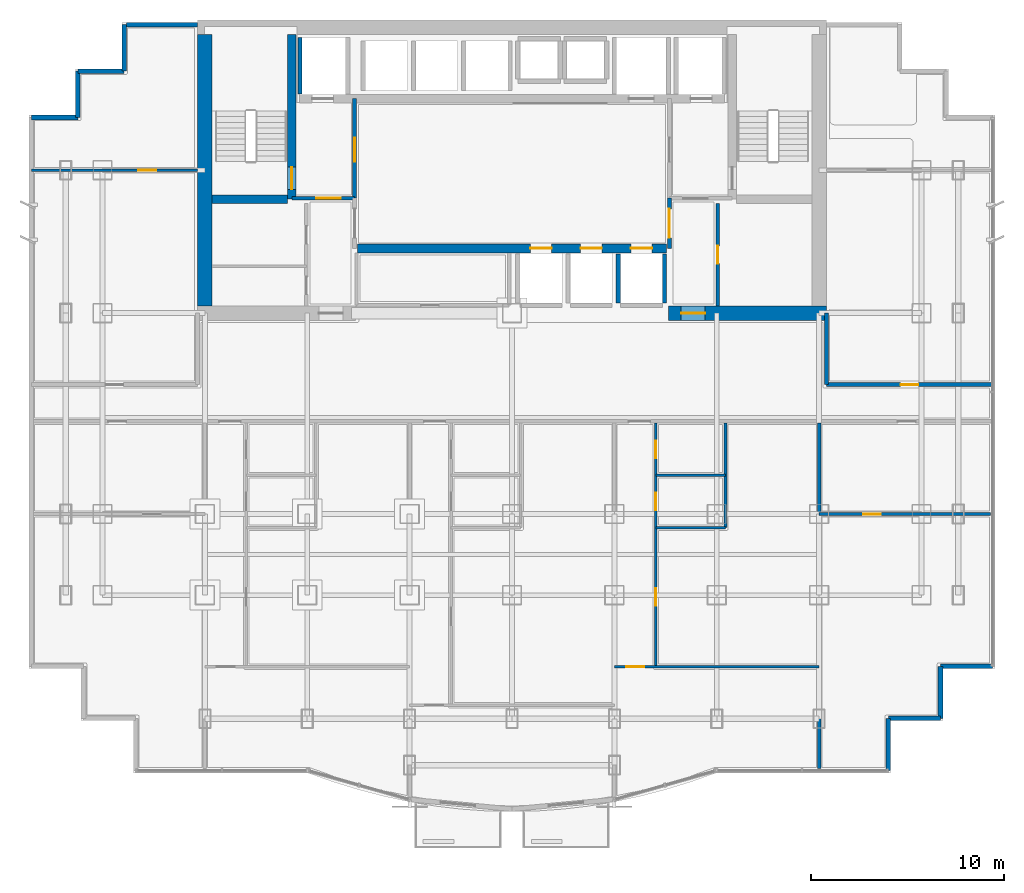
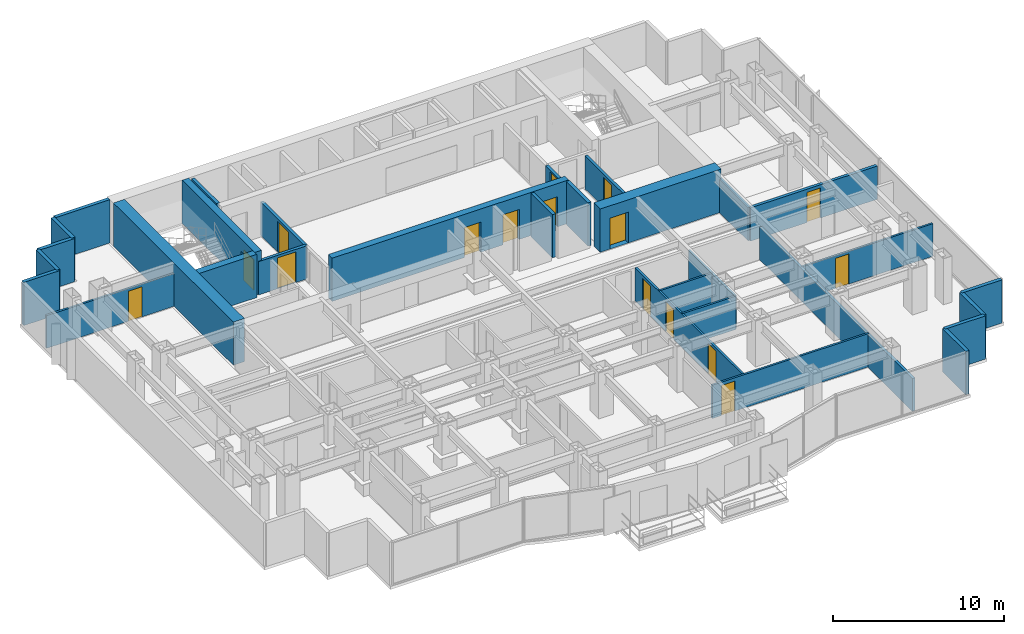
# One storey, part 8 of 11: 31 walls, 16 doors, 16 openings.
"""IFC4 building model written with IfcOpenShell, lengths in metres."""

import ifcopenshell
import ifcopenshell.guid

model = None  # the IFC model being written
_history = None  # IfcOwnerHistory: only IFC2X3 demands one
_inside = {}  # id of a spatial element -> (the spatial element, [elements in it])
_under = {}  # id of a project, library or spatial element -> (it, [spatial elements below it])
_declared = {}  # id of a project -> (the project, [libraries it declares])
_typed = {}  # id of a type object -> (the type object, [elements of that type])
_made_of = {}  # id of a material, layer set ... -> (it, [elements and type objects made of it])


def new_model(schema):
    """Start an empty IFC model of exactly this schema.

    Asked for "IFC4X3", IfcOpenShell would pick the latest addendum, in which some entities
    have other attributes; the version numbers below select the first issue.
    IFC2X3 requires an IfcOwnerHistory on every rooted entity: one is made here for all.
    """
    global model, _history
    if schema == "IFC4X3":
        model = ifcopenshell.file(schema_version=(4, 3, 0, 0))
    else:
        model = ifcopenshell.file(schema=schema)
    _inside.clear()
    _under.clear()
    _declared.clear()
    _typed.clear()
    _made_of.clear()
    _history = None
    if model.schema == "IFC2X3":
        org = make("IfcOrganization", Name="unknown")
        user = make(
            "IfcPersonAndOrganization",
            ThePerson=make("IfcPerson", FamilyName="unknown"),
            TheOrganization=org,
        )
        app = make(
            "IfcApplication",
            ApplicationDeveloper=org,
            Version="unknown",
            ApplicationFullName="unknown",
            ApplicationIdentifier="unknown",
        )
        _history = make(
            "IfcOwnerHistory",
            OwningUser=user,
            OwningApplication=app,
            ChangeAction="ADDED",
            CreationDate=0,
        )
    return model


def make(cls, **values):
    """One entity of the class cls with the attributes given. An attribute that is None is left unset."""
    return model.create_entity(
        cls, **{name: value for name, value in values.items() if value is not None}
    )


def rooted(cls, **values):
    """An entity with a GlobalId (a new one), such as an element, a storey or a relation."""
    return make(cls, GlobalId=ifcopenshell.guid.new(), OwnerHistory=_history, **values)


def si_unit(unit_type, name, prefix=None):
    """IfcSIUnit, for example si_unit("LENGTHUNIT", "METRE", prefix="MILLI")."""
    return make("IfcSIUnit", UnitType=unit_type, Prefix=prefix, Name=name)


def assignment(units):
    """IfcUnitAssignment: the units of a project."""
    return None if units is None else make("IfcUnitAssignment", Units=units)


def point(xyz):
    """IfcCartesianPoint."""
    return None if xyz is None else make("IfcCartesianPoint", Coordinates=xyz)


def direction(xyz):
    """IfcDirection."""
    return None if xyz is None else make("IfcDirection", DirectionRatios=xyz)


def frame(location, z_axis=None, x_axis=None):
    """IfcAxis2Placement3D, a coordinate frame: its origin and axes. An axis left out is left unset."""
    return make(
        "IfcAxis2Placement3D",
        Location=point(location),
        Axis=direction(z_axis),
        RefDirection=direction(x_axis),
    )


def frame_2d(location, x_axis=None):
    """IfcAxis2Placement2D, a coordinate frame in the plane: its origin and x axis."""
    return make(
        "IfcAxis2Placement2D", Location=point(location), RefDirection=direction(x_axis)
    )


def origin():
    """The frame at (0, 0, 0) with its axes left unset."""
    return frame((0.0, 0.0, 0.0))


def place(relative_to, where):
    """IfcLocalPlacement: puts the frame where relative to a parent placement (None: the world)."""
    return make(
        "IfcLocalPlacement", PlacementRelTo=relative_to, RelativePlacement=where
    )


def context(
    kind, dimensions, precision=None, world=None, true_north=None, identifier=None
):
    """IfcGeometricRepresentationContext, for example the 3D "Model" context."""
    return make(
        "IfcGeometricRepresentationContext",
        ContextIdentifier=identifier,
        ContextType=kind,
        CoordinateSpaceDimension=dimensions,
        Precision=precision,
        WorldCoordinateSystem=world,
        TrueNorth=true_north,
    )


def subcontext(parent, identifier, kind, view, scale=None):
    """IfcGeometricRepresentationSubContext, for example "Body" below "Model"."""
    return make(
        "IfcGeometricRepresentationSubContext",
        ContextIdentifier=identifier,
        ContextType=kind,
        ParentContext=parent,
        TargetScale=scale,
        TargetView=view,
    )


def project(units=None, contexts=None):
    """IfcProject with its units and contexts."""
    return rooted(
        "IfcProject",
        Name="project",
        RepresentationContexts=contexts,
        UnitsInContext=assignment(units),
    )


def spatial(cls, under=None, at=None, **own):
    """A site, building, storey or space (cls), placed at a placement, below another one or the project."""
    s = rooted(cls, ObjectPlacement=at, **own)
    if under is not None:
        _under.setdefault(under.id(), (under, []))[1].append(s)
    return s


def profile(cls, at=None, kind="AREA", **sizes):
    """A parametric profile (cls). Its sizes go by their IFC names, for example OverallWidth=200.0."""
    return make(cls, ProfileType=kind, Position=at, **sizes)


def rectangle(**sizes):
    """IfcRectangleProfileDef."""
    return profile("IfcRectangleProfileDef", **sizes)


def extrude(swept, where, along, depth):
    """IfcExtrudedAreaSolid: the profile swept, set in the frame where, extruded along a direction by depth."""
    return make(
        "IfcExtrudedAreaSolid",
        SweptArea=swept,
        Position=where,
        ExtrudedDirection=direction(along),
        Depth=depth,
    )


def shape(context_of_items, identifier, shape_type, items):
    """IfcShapeRepresentation: the items that make up one representation, for example the "Body"."""
    return make(
        "IfcShapeRepresentation",
        ContextOfItems=context_of_items,
        RepresentationIdentifier=identifier,
        RepresentationType=shape_type,
        Items=items,
    )


def material(Name=None, Category=None):
    """IfcMaterial."""
    return make("IfcMaterial", Name=Name, Category=Category)


def layer(
    of_material, thickness, ventilated=None, Name=None, Category=None, Priority=None
):
    """IfcMaterialLayer: one layer of a wall or slab, of a material (None: an air gap)."""
    return make(
        "IfcMaterialLayer",
        Material=of_material,
        LayerThickness=thickness,
        IsVentilated=ventilated,
        Name=Name,
        Category=Category,
        Priority=Priority,
    )


def layer_set(layers, Name=None):
    """IfcMaterialLayerSet."""
    return make("IfcMaterialLayerSet", MaterialLayers=layers, LayerSetName=Name)


def made_of(thing, what):
    """Note that an element or type object is made of a material, layer set ...; save() writes the relation."""
    if what is not None:
        _made_of.setdefault(what.id(), (what, []))[1].append(thing)
    return thing


def type_object(cls, material=None, **own):
    """A type object (cls), such as IfcWallType, which elements share."""
    return made_of(rooted(cls, **own), material)


def element(
    cls,
    number,
    at=None,
    inside=None,
    cuts=None,
    type_object=None,
    material=None,
    context=None,
    identifier="Body",
    shape_type=None,
    held_by="IfcProductDefinitionShape",
    body=None,
    shapes=None,
    **own,
):
    """One element of the class cls, such as IfcWall. Its Tag is "e" and its number.

    at: its placement. inside: the storey or other place that contains it. cuts: it is an
    opening in that element (IfcRelVoidsElement). A single representation is given by context,
    identifier, shape_type and body (its items); several are given by shapes. held_by: the class
    of the entity that holds the representations. save() writes the other relations.
    """
    e = rooted(cls, Tag="e%d" % number, ObjectPlacement=at, **own)
    if body is not None:
        shapes = [shape(context, identifier, shape_type, body)]
    if shapes is not None:
        e.Representation = make(held_by, Representations=shapes)
    if inside is not None:
        _inside.setdefault(inside.id(), (inside, []))[1].append(e)
    if cuts is not None:
        rooted(
            "IfcRelVoidsElement", RelatingBuildingElement=cuts, RelatedOpeningElement=e
        )
    if type_object is not None:
        _typed.setdefault(type_object.id(), (type_object, []))[1].append(e)
    return made_of(e, material)


def fill(opening, filler):
    """IfcRelFillsElement: the door or window that sits in an opening."""
    return rooted(
        "IfcRelFillsElement",
        RelatingOpeningElement=opening,
        RelatedBuildingElement=filler,
    )


def aggregate(whole, parts):
    """IfcRelAggregates: a whole, such as a stair, and the parts it consists of."""
    return rooted("IfcRelAggregates", RelatingObject=whole, RelatedObjects=parts)


def save(model, path):
    """Write the relations noted so far, then the file.

    IfcRelAggregates (storeys below a building ...), IfcRelContainedInSpatialStructure (elements
    in a storey), IfcRelDefinesByType, IfcRelAssociatesMaterial and IfcRelDeclares: one each for
    every whole, place, type object, material and project.
    """
    for whole, parts in _under.values():
        aggregate(whole, parts)
    for where, things in _inside.values():
        rooted(
            "IfcRelContainedInSpatialStructure",
            RelatedElements=things,
            RelatingStructure=where,
        )
    for kind, things in _typed.values():
        rooted("IfcRelDefinesByType", RelatedObjects=things, RelatingType=kind)
    for what, things in _made_of.values():
        rooted("IfcRelAssociatesMaterial", RelatedObjects=things, RelatingMaterial=what)
    for by, libraries in _declared.values():
        rooted("IfcRelDeclares", RelatingContext=by, RelatedDefinitions=libraries)
    model.write(path)


model = new_model("IFC4")

# Units and contexts
model_context = context("Model", 3, precision=1e-05, world=origin(), true_north=direction((0.0, 1.0)))
body_context = subcontext(model_context, "Body", "Model", "MODEL_VIEW")
ifc_project = project(units=[si_unit("LENGTHUNIT", "METRE"), si_unit("AREAUNIT", "SQUARE_METRE"), si_unit("VOLUMEUNIT", "CUBIC_METRE"), si_unit("PLANEANGLEUNIT", "RADIAN"), si_unit("MASSUNIT", "GRAM", prefix="KILO")], contexts=[model_context])

# Site, building, storey
site_placement = place(None, origin())
site = spatial("IfcSite", under=ifc_project, at=site_placement, CompositionType="ELEMENT")
building_placement = place(site_placement, origin())
building = spatial("IfcBuilding", under=site, at=building_placement, Name="Qianlan Lanfeng Residences", CompositionType="ELEMENT")
storey_placement = place(building_placement, frame((0.0, 0.0, 104.800048828125)))
storey = spatial("IfcBuildingStorey", under=building, at=storey_placement, Name="L28", CompositionType="ELEMENT", Elevation=104.800048828125)

# Wall, opening, door
ifc_material_1 = material(Name="Concrete C60", Category="concrete")
ifc_layer_1 = layer(ifc_material_1, 0.449951171875)
ifc_layer_set_1 = layer_set([ifc_layer_1], Name="Concrete C60")
wall_type_1 = type_object("IfcWallType", Name="CW-RC-450", PredefinedType="SHEAR", material=ifc_layer_set_1)
wall_1_placement = place(storey_placement, frame((15.10009765625, 31.10009765625, 0.0), z_axis=(0.0, 0.0, 1.0), x_axis=(0.0, 1.0, 0.0)))
wall_1 = element("IfcWall", 1, at=wall_1_placement, inside=storey, type_object=wall_type_1, Name="L28 Core Shear Wall ST1E", PredefinedType="SHEAR", context=body_context, shape_type="SweptSolid", body=[
    extrude(rectangle(XDim=8.52490234375, YDim=0.449951171875, at=frame_2d((4.262451171875, 0.0))), origin(), (0.0, 0.0, 1.0), 3.08984375),
])
opening_1_placement = place(wall_1_placement, frame((0.510009765625, 0.0, 0.0)))
opening_1 = element("IfcOpeningElement", 2, at=opening_1_placement, cuts=wall_1, Name="Opening L28-D07", PredefinedType="OPENING", context=body_context, shape_type="SweptSolid", body=[
    extrude(rectangle(XDim=1.14990234375, YDim=2.199951171875, at=frame_2d((0.574951171875, 1.10009765625))), frame((0.0, 0.23486328125, 0.0), z_axis=(0.0, -1.0, 0.0), x_axis=(1.0, 0.0, 0.0)), (0.0, 0.0, 1.0), 0.469970703125),
])
ifc_material_2 = material(Name="Painted Galvanised Steel Fire Door", Category="steel")
door_type_1 = type_object("IfcDoorType", Name="DT-ST1", OperationType="NOTDEFINED", PredefinedType="DOOR", material=ifc_material_2)
door_1_placement = place(opening_1_placement, frame((1.14990234375, 0.0, 0.0), z_axis=(0.0, 0.0, 1.0), x_axis=(-1.0, 0.0, 0.0)))
door_1 = element("IfcDoor", 3, at=door_1_placement, inside=storey, type_object=door_type_1, Name="L28 Exit Stair ST-1 Door L28-D07 (DT-ST1)", OperationType="SINGLE_SWING_RIGHT", OverallHeight=2.199951171875, OverallWidth=1.14990234375, PredefinedType="DOOR", context=body_context, shape_type="SweptSolid", body=[
    extrude(rectangle(XDim=1.14990234375, YDim=2.199951171875, at=frame_2d((0.574951171875, 1.10009765625))), frame((0.0, 0.02490234375, 0.0), z_axis=(0.0, -1.0, 0.0), x_axis=(1.0, 0.0, 0.0)), (0.0, 0.0, 1.0), 0.050048828125),
])
fill(opening_1, door_1)

# Wall
wall_2_placement = place(storey_placement, frame((10.97509765625, 31.10009765625, 0.0), z_axis=(0.0, 0.0, 1.0), x_axis=(1.0, 0.0, 0.0)))
element("IfcWall", 4, at=wall_2_placement, inside=storey, type_object=wall_type_1, Name="L28 Core Shear Wall ST1S", PredefinedType="SHEAR", context=body_context, shape_type="SweptSolid", body=[
    extrude(rectangle(XDim=3.89990234375, YDim=0.449951171875, at=frame_2d((1.949951171875, 0.0))), origin(), (0.0, 0.0, 1.0), 3.08984375),
])

# Wall, openings, doors
wall_3_placement = place(storey_placement, frame((18.5, 28.550048828125, 0.0), z_axis=(0.0, 0.0, 1.0), x_axis=(1.0, 0.0, 0.0)))
wall_3 = element("IfcWall", 5, at=wall_3_placement, inside=storey, type_object=wall_type_1, Name="L28 Core Shear Wall LBS", PredefinedType="SHEAR", context=body_context, shape_type="SweptSolid", body=[
    extrude(rectangle(XDim=16.0, YDim=0.449951171875, at=frame_2d((8.0, 0.0))), origin(), (0.0, 0.0, 1.0), 3.08984375),
])
opening_2_placement = place(wall_3_placement, frame((8.949951171875, 0.0, 0.0)))
opening_2 = element("IfcOpeningElement", 6, at=opening_2_placement, cuts=wall_3, Name="Opening L28-LD-PL-M1", PredefinedType="OPENING", context=body_context, shape_type="SweptSolid", body=[
    extrude(rectangle(XDim=1.10009765625, YDim=2.14990234375, at=frame_2d((0.550048828125, 1.074951171875))), frame((0.0, 0.23486328125, 0.0), z_axis=(0.0, -1.0, 0.0), x_axis=(1.0, 0.0, 0.0)), (0.0, 0.0, 1.0), 0.469970703125),
])
opening_3_placement = place(wall_3_placement, frame((11.550048828125, 0.0, 0.0)))
opening_3 = element("IfcOpeningElement", 7, at=opening_3_placement, cuts=wall_3, Name="Opening L28-LD-PL-M2", PredefinedType="OPENING", context=body_context, shape_type="SweptSolid", body=[
    extrude(rectangle(XDim=1.10009765625, YDim=2.14990234375, at=frame_2d((0.550048828125, 1.074951171875))), frame((0.0, 0.23486328125, 0.0), z_axis=(0.0, -1.0, 0.0), x_axis=(1.0, 0.0, 0.0)), (0.0, 0.0, 1.0), 0.469970703125),
])
opening_4_placement = place(wall_3_placement, frame((14.14990234375, 0.0, 0.0)))
opening_4 = element("IfcOpeningElement", 8, at=opening_4_placement, cuts=wall_3, Name="Opening L28-LD-PL-M3", PredefinedType="OPENING", context=body_context, shape_type="SweptSolid", body=[
    extrude(rectangle(XDim=1.10009765625, YDim=2.14990234375, at=frame_2d((0.550048828125, 1.074951171875))), frame((0.0, 0.23486328125, 0.0), z_axis=(0.0, -1.0, 0.0), x_axis=(1.0, 0.0, 0.0)), (0.0, 0.0, 1.0), 0.469970703125),
])
ifc_material_3 = material(Name="Brushed Stainless Steel Sliding Lift Door", Category="steel")
door_type_2 = type_object("IfcDoorType", Name="LD-01", OperationType="NOTDEFINED", PredefinedType="DOOR", material=ifc_material_3)
door_2_placement = place(opening_2_placement, origin())
door_2 = element("IfcDoor", 9, at=door_2_placement, inside=storey, type_object=door_type_2, Name="L28 Elevator PL-M1 Sliding Landing Door", OperationType="DOUBLE_DOOR_SLIDING", OverallHeight=2.14990234375, OverallWidth=1.10009765625, PredefinedType="DOOR", context=body_context, shape_type="SweptSolid", body=[
    extrude(rectangle(XDim=1.10009765625, YDim=2.14990234375, at=frame_2d((0.550048828125, 1.074951171875))), frame((0.0, 0.02490234375, 0.0), z_axis=(0.0, -1.0, 0.0), x_axis=(1.0, 0.0, 0.0)), (0.0, 0.0, 1.0), 0.050048828125),
])
fill(opening_2, door_2)
door_3_placement = place(opening_3_placement, origin())
door_3 = element("IfcDoor", 10, at=door_3_placement, inside=storey, type_object=door_type_2, Name="L28 Elevator PL-M2 Sliding Landing Door", OperationType="DOUBLE_DOOR_SLIDING", OverallHeight=2.14990234375, OverallWidth=1.10009765625, PredefinedType="DOOR", context=body_context, shape_type="SweptSolid", body=[
    extrude(rectangle(XDim=1.10009765625, YDim=2.14990234375, at=frame_2d((0.550048828125, 1.074951171875))), frame((0.0, 0.02490234375, 0.0), z_axis=(0.0, -1.0, 0.0), x_axis=(1.0, 0.0, 0.0)), (0.0, 0.0, 1.0), 0.050048828125),
])
fill(opening_3, door_3)
door_4_placement = place(opening_4_placement, origin())
door_4 = element("IfcDoor", 11, at=door_4_placement, inside=storey, type_object=door_type_2, Name="L28 Elevator PL-M3 Sliding Landing Door", OperationType="DOUBLE_DOOR_SLIDING", OverallHeight=2.14990234375, OverallWidth=1.10009765625, PredefinedType="DOOR", context=body_context, shape_type="SweptSolid", body=[
    extrude(rectangle(XDim=1.10009765625, YDim=2.14990234375, at=frame_2d((0.550048828125, 1.074951171875))), frame((0.0, 0.02490234375, 0.0), z_axis=(0.0, -1.0, 0.0), x_axis=(1.0, 0.0, 0.0)), (0.0, 0.0, 1.0), 0.050048828125),
])
fill(opening_4, door_4)

# Wall
ifc_layer_2 = layer(ifc_material_1, 0.75)
ifc_layer_set_2 = layer_set([ifc_layer_2], Name="Concrete C60")
wall_type_2 = type_object("IfcWallType", Name="CW-RC-750", PredefinedType="SHEAR", material=ifc_layer_set_2)
wall_4_placement = place(storey_placement, frame((10.60009765625, 25.574951171875, 0.0), z_axis=(0.0, 0.0, 1.0), x_axis=(0.0, 1.0, 0.0)))
element("IfcWall", 12, at=wall_4_placement, inside=storey, type_object=wall_type_2, Name="L28 Core Shear Wall W", PredefinedType="SHEAR", context=body_context, shape_type="SweptSolid", body=[
    extrude(rectangle(XDim=14.050048828125, YDim=0.75, at=frame_2d((7.02490234375, 0.0))), origin(), (0.0, 0.0, 1.0), 3.08984375),
])

# Wall, opening, door
wall_5_placement = place(storey_placement, frame((34.60009765625, 25.199951171875, 0.0), z_axis=(0.0, 0.0, 1.0), x_axis=(1.0, 0.0, 0.0)))
wall_5 = element("IfcWall", 13, at=wall_5_placement, inside=storey, type_object=wall_type_2, Name="L28 Core Shear Wall SE", PredefinedType="SHEAR", context=body_context, shape_type="SweptSolid", body=[
    extrude(rectangle(XDim=8.1748046875, YDim=0.75, at=frame_2d((4.08740234375, 0.0))), origin(), (0.0, 0.0, 1.0), 3.08984375),
])
opening_5_placement = place(wall_5_placement, frame((0.64990234375, 0.0, 0.0)))
opening_5 = element("IfcOpeningElement", 14, at=opening_5_placement, cuts=wall_5, Name="Opening L28-D02", PredefinedType="OPENING", context=body_context, shape_type="SweptSolid", body=[
    extrude(rectangle(XDim=1.25, YDim=2.199951171875, at=frame_2d((0.625, 1.10009765625))), frame((0.0, 0.385009765625, 0.0), z_axis=(0.0, -1.0, 0.0), x_axis=(1.0, 0.0, 0.0)), (0.0, 0.0, 1.0), 0.77001953125),
])
door_type_3 = type_object("IfcDoorType", Name="DT-FFL", OperationType="NOTDEFINED", PredefinedType="DOOR", material=ifc_material_2)
door_5_placement = place(opening_5_placement, frame((1.25, 0.0, 0.0), z_axis=(0.0, 0.0, 1.0), x_axis=(-1.0, 0.0, 0.0)))
door_5 = element("IfcDoor", 15, at=door_5_placement, inside=storey, type_object=door_type_3, Name="L28 East Core Lobby Smoke Door L28-D02 (DT-FFL)", OperationType="SINGLE_SWING_LEFT", OverallHeight=2.199951171875, OverallWidth=1.25, PredefinedType="DOOR", context=body_context, shape_type="SweptSolid", body=[
    extrude(rectangle(XDim=1.25, YDim=2.199951171875, at=frame_2d((0.625, 1.10009765625))), frame((0.0, 0.02490234375, 0.0), z_axis=(0.0, -1.0, 0.0), x_axis=(1.0, 0.0, 0.0)), (0.0, 0.0, 1.0), 0.050048828125),
])
fill(opening_5, door_5)

# Walls
ifc_material_4 = material(Name="Concrete C42", Category="concrete")
ifc_layer_3 = layer(ifc_material_4, 0.239990234375)
ifc_layer_set_3 = layer_set([ifc_layer_3], Name="Concrete C42")
wall_type_3 = type_object("IfcWallType", Name="EW-240", PredefinedType="SOLIDWALL", material=ifc_layer_set_3)
for number, where, z_axis, x_axis, name in (
    (16, (45.97998046875, 1.52001953125, 0.0), (0.0, 0.0, 1.0), (0.0, 1.0, 0.0), "L28 Exterior Facade Spandrel Wall 7"),
    (17, (45.97998046875, 4.219970703125, 0.0), (0.0, 0.0, 1.0), (1.0, 0.0, 0.0), "L28 Exterior Facade Spandrel Wall 8"),
    (18, (48.679931640625, 4.219970703125, 0.0), (0.0, 0.0, 1.0), (0.0, 1.0, 0.0), "L28 Exterior Facade Spandrel Wall 9"),
    (19, (48.679931640625, 6.919921875, 0.0), (0.0, 0.0, 1.0), (1.0, 0.0, 0.0), "L28 Exterior Facade Spandrel Wall 10"),
):
    element("IfcWall", number, at=place(storey_placement, frame(where, z_axis=z_axis, x_axis=x_axis)), inside=storey, type_object=wall_type_3, Name=name, PredefinedType="SOLIDWALL", context=body_context, shape_type="SweptSolid", body=[
        extrude(rectangle(XDim=2.699951171875, YDim=0.239990234375, at=frame_2d((1.35009765625, 0.0))), origin(), (0.0, 0.0, 1.0), 3.08984375),
    ])
wall_6_placement = place(storey_placement, frame((10.22509765625, 40.1298828125, 0.0), z_axis=(0.0, 0.0, 1.0), x_axis=(-1.0, 0.0, 0.0)))
element("IfcWall", 20, at=wall_6_placement, inside=storey, type_object=wall_type_3, Name="L28 North Wing Exterior Wall W", PredefinedType="SOLIDWALL", context=body_context, shape_type="SweptSolid", body=[
    extrude(rectangle(XDim=3.675048828125, YDim=0.239990234375, at=frame_2d((1.83740234375, 0.0))), origin(), (0.0, 0.0, 1.0), 3.08984375),
])
for number, where, z_axis, x_axis, name in (
    (21, (6.419921875, 40.1298828125, 0.0), (0.0, 0.0, 1.0), (0.0, -1.0, 0.0), "L28 Exterior Facade Spandrel Wall 17"),
    (22, (6.419921875, 37.72998046875, 0.0), (0.0, 0.0, 1.0), (-1.0, 0.0, 0.0), "L28 Exterior Facade Spandrel Wall 18"),
    (23, (4.02001953125, 37.72998046875, 0.0), (0.0, 0.0, 1.0), (0.0, -1.0, 0.0), "L28 Exterior Facade Spandrel Wall 19"),
    (24, (4.02001953125, 35.330078125, 0.0), (0.0, 0.0, 1.0), (-1.0, 0.0, 0.0), "L28 Exterior Facade Spandrel Wall 20"),
):
    element("IfcWall", number, at=place(storey_placement, frame(where, z_axis=z_axis, x_axis=x_axis)), inside=storey, type_object=wall_type_3, Name=name, PredefinedType="SOLIDWALL", context=body_context, shape_type="SweptSolid", body=[
        extrude(rectangle(XDim=2.39990234375, YDim=0.239990234375, at=frame_2d((1.199951171875, 0.0))), origin(), (0.0, 0.0, 1.0), 3.08984375),
    ])

# Wall, opening, door
ifc_material_5 = material(Name="Moisture-Resistant Gypsum Partition 135 mm")
ifc_layer_4 = layer(ifc_material_5, 0.135009765625)
ifc_layer_set_4 = layer_set([ifc_layer_4], Name="Moisture-Resistant Gypsum Partition 135 mm")
wall_type_4 = type_object("IfcWallType", Name="PW-135", PredefinedType="PARTITIONING", material=ifc_layer_set_4)
wall_7_placement = place(storey_placement, frame((31.800048828125, 6.903076171875, 0.0), z_axis=(0.0, 0.0, 1.0), x_axis=(1.0, 0.0, 0.0)))
wall_7 = element("IfcWall", 25, at=wall_7_placement, inside=storey, type_object=wall_type_4, Name="L28 U03 Living Divider", PredefinedType="PARTITIONING", context=body_context, shape_type="SweptSolid", body=[
    extrude(rectangle(XDim=10.599853515625, YDim=0.135009765625, at=frame_2d((5.2998046875, 0.0))), origin(), (0.0, 0.0, 1.0), 2.3798828125),
])
opening_6_placement = place(wall_7_placement, frame((0.614990234375, 0.0, 0.0)))
opening_6 = element("IfcOpeningElement", 26, at=opening_6_placement, cuts=wall_7, Name="Opening L28-D26", PredefinedType="OPENING", context=body_context, shape_type="SweptSolid", body=[
    extrude(rectangle(XDim=0.919921875, YDim=2.14990234375, at=frame_2d((0.4599609375, 1.074951171875))), frame((0.0, 0.07763671875, 0.0), z_axis=(0.0, -1.0, 0.0), x_axis=(1.0, 0.0, 0.0)), (0.0, 0.0, 1.0), 0.155029296875),
])
ifc_material_6 = material(Name="Glazed Timber Kitchen/Study Door", Category="wood")
door_type_4 = type_object("IfcDoorType", Name="DT-INT", OperationType="NOTDEFINED", PredefinedType="DOOR", material=ifc_material_6)
door_6_placement = place(opening_6_placement, frame((0.919921875, 0.0, 0.0), z_axis=(0.0, 0.0, 1.0), x_axis=(-1.0, 0.0, 0.0)))
door_6 = element("IfcDoor", 27, at=door_6_placement, inside=storey, type_object=door_type_4, Name="L28 U03 Living Passage Door L28-D26 (DT-INT)", OperationType="SINGLE_SWING_RIGHT", OverallHeight=2.14990234375, OverallWidth=0.919921875, PredefinedType="DOOR", context=body_context, shape_type="SweptSolid", body=[
    extrude(rectangle(XDim=0.919921875, YDim=2.14990234375, at=frame_2d((0.4599609375, 1.074951171875))), frame((0.0, 0.02490234375, 0.0), z_axis=(0.0, -1.0, 0.0), x_axis=(1.0, 0.0, 0.0)), (0.0, 0.0, 1.0), 0.050048828125),
])
fill(opening_6, door_6)

# Wall, openings, doors
wall_8_placement = place(storey_placement, frame((33.949951171875, 6.903076171875, 0.0), z_axis=(0.0, 0.0, 1.0), x_axis=(0.0, 1.0, 0.0)))
wall_8 = element("IfcWall", 28, at=wall_8_placement, inside=storey, type_object=wall_type_4, Name="L28 U03 Entry Hall Spine", PredefinedType="PARTITIONING", context=body_context, shape_type="SweptSolid", body=[
    extrude(rectangle(XDim=12.596923828125, YDim=0.135009765625, at=frame_2d((6.29833984375, 0.0))), origin(), (0.0, 0.0, 1.0), 2.3798828125),
])
opening_7_placement = place(wall_8_placement, frame((3.138916015625, 0.0, 0.0)))
opening_7 = element("IfcOpeningElement", 29, at=opening_7_placement, cuts=wall_8, Name="Opening L28-D27", PredefinedType="OPENING", context=body_context, shape_type="SweptSolid", body=[
    extrude(rectangle(XDim=0.919921875, YDim=2.14990234375, at=frame_2d((0.4599609375, 1.074951171875))), frame((0.0, 0.07763671875, 0.0), z_axis=(0.0, -1.0, 0.0), x_axis=(1.0, 0.0, 0.0)), (0.0, 0.0, 1.0), 0.155029296875),
])
opening_8_placement = place(wall_8_placement, frame((8.0869140625, 0.0, 0.0)))
opening_8 = element("IfcOpeningElement", 30, at=opening_8_placement, cuts=wall_8, Name="Opening L28-D28", PredefinedType="OPENING", context=body_context, shape_type="SweptSolid", body=[
    extrude(rectangle(XDim=0.919921875, YDim=2.14990234375, at=frame_2d((0.4599609375, 1.074951171875))), frame((0.0, 0.07763671875, 0.0), z_axis=(0.0, -1.0, 0.0), x_axis=(1.0, 0.0, 0.0)), (0.0, 0.0, 1.0), 0.155029296875),
])
opening_9_placement = place(wall_8_placement, frame((10.797119140625, 0.0, 0.0)))
opening_9 = element("IfcOpeningElement", 31, at=opening_9_placement, cuts=wall_8, Name="Opening L28-D29", PredefinedType="OPENING", context=body_context, shape_type="SweptSolid", body=[
    extrude(rectangle(XDim=0.89990234375, YDim=2.14990234375, at=frame_2d((0.449951171875, 1.074951171875))), frame((0.0, 0.07763671875, 0.0), z_axis=(0.0, -1.0, 0.0), x_axis=(1.0, 0.0, 0.0)), (0.0, 0.0, 1.0), 0.155029296875),
])
door_7_placement = place(opening_7_placement, origin())
door_7 = element("IfcDoor", 32, at=door_7_placement, inside=storey, type_object=door_type_4, Name="L28 U03 Study Door L28-D27 (DT-INT)", OperationType="SINGLE_SWING_LEFT", OverallHeight=2.14990234375, OverallWidth=0.919921875, PredefinedType="DOOR", context=body_context, shape_type="SweptSolid", body=[
    extrude(rectangle(XDim=0.919921875, YDim=2.14990234375, at=frame_2d((0.4599609375, 1.074951171875))), frame((0.0, 0.02490234375, 0.0), z_axis=(0.0, -1.0, 0.0), x_axis=(1.0, 0.0, 0.0)), (0.0, 0.0, 1.0), 0.050048828125),
])
fill(opening_7, door_7)
door_8_placement = place(opening_8_placement, origin())
door_8 = element("IfcDoor", 33, at=door_8_placement, inside=storey, type_object=door_type_4, Name="L28 U03 Kitchen Door L28-D28 (DT-INT)", OperationType="SINGLE_SWING_RIGHT", OverallHeight=2.14990234375, OverallWidth=0.919921875, PredefinedType="DOOR", context=body_context, shape_type="SweptSolid", body=[
    extrude(rectangle(XDim=0.919921875, YDim=2.14990234375, at=frame_2d((0.4599609375, 1.074951171875))), frame((0.0, 0.02490234375, 0.0), z_axis=(0.0, -1.0, 0.0), x_axis=(1.0, 0.0, 0.0)), (0.0, 0.0, 1.0), 0.050048828125),
])
fill(opening_8, door_8)
ifc_material_7 = material(Name="Moisture-Resistant Timber Leaf", Category="wood")
door_type_5 = type_object("IfcDoorType", Name="DT-WC", OperationType="NOTDEFINED", PredefinedType="DOOR", material=ifc_material_7)
door_9_placement = place(opening_9_placement, origin())
door_9 = element("IfcDoor", 34, at=door_9_placement, inside=storey, type_object=door_type_5, Name="L28 U03 Bathroom Door L28-D29 (DT-WC)", OperationType="SINGLE_SWING_LEFT", OverallHeight=2.14990234375, OverallWidth=0.89990234375, PredefinedType="DOOR", context=body_context, shape_type="SweptSolid", body=[
    extrude(rectangle(XDim=0.89990234375, YDim=2.14990234375, at=frame_2d((0.449951171875, 1.074951171875))), frame((0.0, 0.02490234375, 0.0), z_axis=(0.0, -1.0, 0.0), x_axis=(1.0, 0.0, 0.0)), (0.0, 0.0, 1.0), 0.050048828125),
])
fill(opening_9, door_9)

# Walls
wall_9_placement = place(storey_placement, frame((33.949951171875, 14.10009765625, 0.0), z_axis=(0.0, 0.0, 1.0), x_axis=(1.0, 0.0, 0.0)))
element("IfcWall", 35, at=wall_9_placement, inside=storey, type_object=wall_type_4, Name="L28 U03 Kitchen South Wall", PredefinedType="PARTITIONING", context=body_context, shape_type="SweptSolid", body=[
    extrude(rectangle(XDim=3.60009765625, YDim=0.135009765625, at=frame_2d((1.800048828125, 0.0))), origin(), (0.0, 0.0, 1.0), 2.3798828125),
])
wall_10_placement = place(storey_placement, frame((37.550048828125, 14.10009765625, 0.0), z_axis=(0.0, 0.0, 1.0), x_axis=(0.0, 1.0, 0.0)))
element("IfcWall", 36, at=wall_10_placement, inside=storey, type_object=wall_type_4, Name="L28 U03 Dining East Wall", PredefinedType="PARTITIONING", context=body_context, shape_type="SweptSolid", body=[
    extrude(rectangle(XDim=5.39990234375, YDim=0.135009765625, at=frame_2d((2.699951171875, 0.0))), origin(), (0.0, 0.0, 1.0), 2.3798828125),
])
wall_11_placement = place(storey_placement, frame((33.949951171875, 16.800048828125, 0.0), z_axis=(0.0, 0.0, 1.0), x_axis=(1.0, 0.0, 0.0)))
element("IfcWall", 37, at=wall_11_placement, inside=storey, type_object=wall_type_4, Name="L28 U03 Bathroom South Wall", PredefinedType="PARTITIONING", context=body_context, shape_type="SweptSolid", body=[
    extrude(rectangle(XDim=3.60009765625, YDim=0.135009765625, at=frame_2d((1.800048828125, 0.0))), origin(), (0.0, 0.0, 1.0), 2.3798828125),
])

# Wall, opening, door
wall_12_placement = place(storey_placement, frame((42.39990234375, 14.800048828125, 0.0), z_axis=(0.0, 0.0, 1.0), x_axis=(1.0, 0.0, 0.0)))
wall_12 = element("IfcWall", 38, at=wall_12_placement, inside=storey, type_object=wall_type_4, Name="L28 SEP Mid Partition", PredefinedType="PARTITIONING", context=body_context, shape_type="SweptSolid", body=[
    extrude(rectangle(XDim=8.880126953125, YDim=0.135009765625, at=frame_2d((4.43994140625, 0.0))), origin(), (0.0, 0.0, 1.0), 2.3349609375),
])
opening_10_placement = place(wall_12_placement, frame((2.280029296875, 0.0, 0.0)))
opening_10 = element("IfcOpeningElement", 39, at=opening_10_placement, cuts=wall_12, Name="Opening L28-D32", PredefinedType="OPENING", context=body_context, shape_type="SweptSolid", body=[
    extrude(rectangle(XDim=0.919921875, YDim=2.14990234375, at=frame_2d((0.4599609375, 1.074951171875))), frame((0.0, 0.07763671875, 0.0), z_axis=(0.0, -1.0, 0.0), x_axis=(1.0, 0.0, 0.0)), (0.0, 0.0, 1.0), 0.155029296875),
])
door_10_placement = place(opening_10_placement, origin())
door_10 = element("IfcDoor", 40, at=door_10_placement, inside=storey, type_object=door_type_4, Name="L28 SEP Inner Door L28-D32 (DT-INT)", OperationType="SINGLE_SWING_RIGHT", OverallHeight=2.14990234375, OverallWidth=0.919921875, PredefinedType="DOOR", context=body_context, shape_type="SweptSolid", body=[
    extrude(rectangle(XDim=0.919921875, YDim=2.14990234375, at=frame_2d((0.4599609375, 1.074951171875))), frame((0.0, 0.02490234375, 0.0), z_axis=(0.0, -1.0, 0.0), x_axis=(1.0, 0.0, 0.0)), (0.0, 0.0, 1.0), 0.050048828125),
])
fill(opening_10, door_10)

wall_13_placement = place(storey_placement, frame((1.6201171875, 32.60009765625, 0.0), z_axis=(0.0, 0.0, 1.0), x_axis=(1.0, 0.0, 0.0)))
wall_13 = element("IfcWall", 41, at=wall_13_placement, inside=storey, type_object=wall_type_4, Name="L28 WW North Wing Wall", PredefinedType="PARTITIONING", context=body_context, shape_type="SweptSolid", body=[
    extrude(rectangle(XDim=8.60498046875, YDim=0.135009765625, at=frame_2d((4.302490234375, 0.0))), origin(), (0.0, 0.0, 1.0), 2.3349609375),
])
opening_11_placement = place(wall_13_placement, frame((5.5419921875, 0.0, 0.0)))
opening_11 = element("IfcOpeningElement", 42, at=opening_11_placement, cuts=wall_13, Name="Opening L28-D34", PredefinedType="OPENING", context=body_context, shape_type="SweptSolid", body=[
    extrude(rectangle(XDim=0.919921875, YDim=2.14990234375, at=frame_2d((0.4599609375, 1.074951171875))), frame((0.0, 0.07763671875, 0.0), z_axis=(0.0, -1.0, 0.0), x_axis=(1.0, 0.0, 0.0)), (0.0, 0.0, 1.0), 0.155029296875),
])
door_11_placement = place(opening_11_placement, origin())
door_11 = element("IfcDoor", 43, at=door_11_placement, inside=storey, type_object=door_type_4, Name="L28 WW Inner Salon Door L28-D34 (DT-INT)", OperationType="SINGLE_SWING_RIGHT", OverallHeight=2.14990234375, OverallWidth=0.919921875, PredefinedType="DOOR", context=body_context, shape_type="SweptSolid", body=[
    extrude(rectangle(XDim=0.919921875, YDim=2.14990234375, at=frame_2d((0.4599609375, 1.074951171875))), frame((0.0, 0.02490234375, 0.0), z_axis=(0.0, -1.0, 0.0), x_axis=(1.0, 0.0, 0.0)), (0.0, 0.0, 1.0), 0.050048828125),
])
fill(opening_11, door_11)

ifc_material_8 = material(Name="Double-Layer Acoustic Gypsum Stud Wall 180 mm")
ifc_layer_5 = layer(ifc_material_8, 0.179931640625)
ifc_layer_set_5 = layer_set([ifc_layer_5], Name="Double-Layer Acoustic Gypsum Stud Wall 180 mm")
wall_type_5 = type_object("IfcWallType", Name="PW-180", PredefinedType="PARTITIONING", material=ifc_layer_set_5)
wall_14_placement = place(storey_placement, frame((37.14990234375, 25.574951171875, 0.0), z_axis=(0.0, 0.0, 1.0), x_axis=(0.0, 1.0, 0.0)))
wall_14 = element("IfcWall", 44, at=wall_14_placement, inside=storey, type_object=wall_type_5, Name="L28 Core East Service Room Wall", PredefinedType="PARTITIONING", context=body_context, shape_type="SweptSolid", body=[
    extrude(rectangle(XDim=5.300048828125, YDim=0.179931640625, at=frame_2d((2.64990234375, 0.0))), origin(), (0.0, 0.0, 1.0), 2.3798828125),
])
opening_12_placement = place(wall_14_placement, frame((2.18994140625, 0.0, 0.0)))
opening_12 = element("IfcOpeningElement", 45, at=opening_12_placement, cuts=wall_14, Name="Opening L28-D11", PredefinedType="OPENING", context=body_context, shape_type="SweptSolid", body=[
    extrude(rectangle(XDim=0.919921875, YDim=2.14990234375, at=frame_2d((0.4599609375, 1.074951171875))), frame((0.0, 0.10009765625, 0.0), z_axis=(0.0, -1.0, 0.0), x_axis=(1.0, 0.0, 0.0)), (0.0, 0.0, 1.0), 0.199951171875),
])
door_12_placement = place(opening_12_placement, origin())
door_12 = element("IfcDoor", 46, at=door_12_placement, inside=storey, type_object=door_type_4, Name="L28 Mail Parcel Closet Door L28-D11 (DT-INT)", OperationType="SINGLE_SWING_LEFT", OverallHeight=2.14990234375, OverallWidth=0.919921875, PredefinedType="DOOR", context=body_context, shape_type="SweptSolid", body=[
    extrude(rectangle(XDim=0.919921875, YDim=2.14990234375, at=frame_2d((0.4599609375, 1.074951171875))), frame((0.0, 0.02490234375, 0.0), z_axis=(0.0, -1.0, 0.0), x_axis=(1.0, 0.0, 0.0)), (0.0, 0.0, 1.0), 0.050048828125),
])
fill(opening_12, door_12)

# Wall
wall_15_placement = place(storey_placement, frame((42.39990234375, 1.6201171875, 0.0), z_axis=(0.0, 0.0, 1.0), x_axis=(0.0, 1.0, 0.0)))
element("IfcWall", 47, at=wall_15_placement, inside=storey, type_object=wall_type_5, Name="L28 Wing Boundary Party Wall E0", PredefinedType="PARTITIONING", context=body_context, shape_type="SweptSolid", body=[
    extrude(rectangle(XDim=17.8798828125, YDim=0.179931640625, at=frame_2d((8.93994140625, 0.0))), origin(), (0.0, 0.0, 1.0), 2.3349609375),
])

# Wall, opening, door
ifc_material_9 = material(Name="Autoclaved Aerated Concrete Blockwork 200 mm", Category="masonry")
ifc_layer_6 = layer(ifc_material_9, 0.199951171875)
ifc_layer_set_6 = layer_set([ifc_layer_6], Name="Autoclaved Aerated Concrete Blockwork 200 mm")
wall_type_6 = type_object("IfcWallType", Name="PW-200", PredefinedType="PARTITIONING", material=ifc_layer_set_6)
wall_16_placement = place(storey_placement, frame((15.10009765625, 31.14990234375, 0.0), z_axis=(0.0, 0.0, 1.0), x_axis=(1.0, 0.0, 0.0)))
wall_16 = element("IfcWall", 48, at=wall_16_placement, inside=storey, type_object=wall_type_6, Name="L28 Firefighting Lobby 1 South Wall", PredefinedType="PARTITIONING", context=body_context, shape_type="SweptSolid", body=[
    extrude(rectangle(XDim=3.25, YDim=0.199951171875, at=frame_2d((1.625, 0.0))), origin(), (0.0, 0.0, 1.0), 2.3798828125),
])
opening_13_placement = place(wall_16_placement, frame((1.27490234375, 0.0, 0.0)))
opening_13 = element("IfcOpeningElement", 49, at=opening_13_placement, cuts=wall_16, Name="Opening L28-D03", PredefinedType="OPENING", context=body_context, shape_type="SweptSolid", body=[
    extrude(rectangle(XDim=1.25, YDim=2.199951171875, at=frame_2d((0.625, 1.10009765625))), frame((0.0, 0.10986328125, 0.0), z_axis=(0.0, -1.0, 0.0), x_axis=(1.0, 0.0, 0.0)), (0.0, 0.0, 1.0), 0.219970703125),
])
door_13_placement = place(opening_13_placement, origin())
door_13 = element("IfcDoor", 50, at=door_13_placement, inside=storey, type_object=door_type_3, Name="L28 Firefighting Lobby 1 Entry Door L28-D03 (DT-FFL)", OperationType="SINGLE_SWING_LEFT", OverallHeight=2.199951171875, OverallWidth=1.25, PredefinedType="DOOR", context=body_context, shape_type="SweptSolid", body=[
    extrude(rectangle(XDim=1.25, YDim=2.199951171875, at=frame_2d((0.625, 1.10009765625))), frame((0.0, 0.02490234375, 0.0), z_axis=(0.0, -1.0, 0.0), x_axis=(1.0, 0.0, 0.0)), (0.0, 0.0, 1.0), 0.050048828125),
])
fill(opening_13, door_13)

wall_17_placement = place(storey_placement, frame((18.35009765625, 31.14990234375, 0.0), z_axis=(0.0, 0.0, 1.0), x_axis=(0.0, 1.0, 0.0)))
wall_17 = element("IfcWall", 51, at=wall_17_placement, inside=storey, type_object=wall_type_6, Name="L28 Firefighting Lobby 1 East Wall", PredefinedType="PARTITIONING", context=body_context, shape_type="SweptSolid", body=[
    extrude(rectangle(XDim=5.150146484375, YDim=0.199951171875, at=frame_2d((2.5751953125, 0.0))), origin(), (0.0, 0.0, 1.0), 2.3798828125),
])
opening_14_placement = place(wall_17_placement, frame((1.875, 0.0, 0.0)))
opening_14 = element("IfcOpeningElement", 52, at=opening_14_placement, cuts=wall_17, Name="Opening L28-D04", PredefinedType="OPENING", context=body_context, shape_type="SweptSolid", body=[
    extrude(rectangle(XDim=1.25, YDim=2.199951171875, at=frame_2d((0.625, 1.10009765625))), frame((0.0, 0.10986328125, 0.0), z_axis=(0.0, -1.0, 0.0), x_axis=(1.0, 0.0, 0.0)), (0.0, 0.0, 1.0), 0.219970703125),
])
door_14_placement = place(opening_14_placement, origin())
door_14 = element("IfcDoor", 53, at=door_14_placement, inside=storey, type_object=door_type_3, Name="L28 Firefighting Lobby 1 Lift Lobby Door L28-D04 (DT-FFL)", OperationType="SINGLE_SWING_RIGHT", OverallHeight=2.199951171875, OverallWidth=1.25, PredefinedType="DOOR", context=body_context, shape_type="SweptSolid", body=[
    extrude(rectangle(XDim=1.25, YDim=2.199951171875, at=frame_2d((0.625, 1.10009765625))), frame((0.0, 0.02490234375, 0.0), z_axis=(0.0, -1.0, 0.0), x_axis=(1.0, 0.0, 0.0)), (0.0, 0.0, 1.0), 0.050048828125),
])
fill(opening_14, door_14)

wall_18_placement = place(storey_placement, frame((34.64990234375, 28.550048828125, 0.0), z_axis=(0.0, 0.0, 1.0), x_axis=(0.0, 1.0, 0.0)))
wall_18 = element("IfcWall", 54, at=wall_18_placement, inside=storey, type_object=wall_type_6, Name="L28 Lift Lobby East Connector Wall", PredefinedType="PARTITIONING", context=body_context, shape_type="SweptSolid", body=[
    extrude(rectangle(XDim=2.599853515625, YDim=0.199951171875, at=frame_2d((1.2998046875, 0.0))), origin(), (0.0, 0.0, 1.0), 2.3798828125),
])
opening_15_placement = place(wall_18_placement, frame((0.550048828125, 0.0, 0.0)))
opening_15 = element("IfcOpeningElement", 55, at=opening_15_placement, cuts=wall_18, Name="Opening L28-D13", PredefinedType="OPENING", context=body_context, shape_type="SweptSolid", body=[
    extrude(rectangle(XDim=1.5, YDim=2.25, at=frame_2d((0.75, 1.125))), frame((0.0, 0.10986328125, 0.0), z_axis=(0.0, -1.0, 0.0), x_axis=(1.0, 0.0, 0.0)), (0.0, 0.0, 1.0), 0.219970703125),
])
ifc_material_10 = material(Name="Timber Veneer Acoustic Fire Door", Category="wood")
door_type_6 = type_object("IfcDoorType", Name="DT-COR1", OperationType="NOTDEFINED", PredefinedType="DOOR", material=ifc_material_10)
door_15_placement = place(opening_15_placement, frame((1.5, 0.0, 0.0), z_axis=(0.0, 0.0, 1.0), x_axis=(-1.0, 0.0, 0.0)))
door_15 = element("IfcDoor", 56, at=door_15_placement, inside=storey, type_object=door_type_6, Name="L28 Lift Lobby East Portal Door L28-D13 (DT-COR1)", OperationType="DOUBLE_DOOR_SINGLE_SWING", OverallHeight=2.25, OverallWidth=1.5, PredefinedType="DOOR", context=body_context, shape_type="SweptSolid", body=[
    extrude(rectangle(XDim=1.5, YDim=2.25, at=frame_2d((0.75, 1.125))), frame((0.0, 0.02490234375, 0.0), z_axis=(0.0, -1.0, 0.0), x_axis=(1.0, 0.0, 0.0)), (0.0, 0.0, 1.0), 0.050048828125),
])
fill(opening_15, door_15)

wall_19_placement = place(storey_placement, frame((42.77490234375, 21.5, 0.0), z_axis=(0.0, 0.0, 1.0), x_axis=(1.0, 0.0, 0.0)))
wall_19 = element("IfcWall", 57, at=wall_19_placement, inside=storey, type_object=wall_type_6, Name="L28 Corridor NE Wall", PredefinedType="PARTITIONING", context=body_context, shape_type="SweptSolid", body=[
    extrude(rectangle(XDim=8.60498046875, YDim=0.199951171875, at=frame_2d((4.302490234375, 0.0))), origin(), (0.0, 0.0, 1.0), 2.3798828125),
])
opening_16_placement = place(wall_19_placement, frame((3.842041015625, 0.0, 0.0)))
opening_16 = element("IfcOpeningElement", 58, at=opening_16_placement, cuts=wall_19, Name="Opening L28-D37", PredefinedType="OPENING", context=body_context, shape_type="SweptSolid", body=[
    extrude(rectangle(XDim=0.919921875, YDim=2.14990234375, at=frame_2d((0.4599609375, 1.074951171875))), frame((0.0, 0.10986328125, 0.0), z_axis=(0.0, -1.0, 0.0), x_axis=(1.0, 0.0, 0.0)), (0.0, 0.0, 1.0), 0.219970703125),
])
door_16_placement = place(opening_16_placement, origin())
door_16 = element("IfcDoor", 59, at=door_16_placement, inside=storey, type_object=door_type_4, Name="L28 EW Amenity Salon Door L28-D37 (DT-INT)", OperationType="SINGLE_SWING_LEFT", OverallHeight=2.14990234375, OverallWidth=0.919921875, PredefinedType="DOOR", context=body_context, shape_type="SweptSolid", body=[
    extrude(rectangle(XDim=0.919921875, YDim=2.14990234375, at=frame_2d((0.4599609375, 1.074951171875))), frame((0.0, 0.02490234375, 0.0), z_axis=(0.0, -1.0, 0.0), x_axis=(1.0, 0.0, 0.0)), (0.0, 0.0, 1.0), 0.050048828125),
])
fill(opening_16, door_16)

# Walls
wall_20_placement = place(storey_placement, frame((42.77490234375, 21.5, 0.0), z_axis=(0.0, 0.0, 1.0), x_axis=(0.0, 1.0, 0.0)))
element("IfcWall", 60, at=wall_20_placement, inside=storey, type_object=wall_type_6, Name="L28 NE Wing Core Return Wall", PredefinedType="PARTITIONING", context=body_context, shape_type="SweptSolid", body=[
    extrude(rectangle(XDim=3.699951171875, YDim=0.199951171875, at=frame_2d((1.85009765625, 0.0))), origin(), (0.0, 0.0, 1.0), 2.3798828125),
])
ifc_material_11 = material(Name="Concrete C49", Category="concrete")
ifc_layer_7 = layer(ifc_material_11, 0.219970703125)
ifc_layer_set_7 = layer_set([ifc_layer_7], Name="Concrete C49")
wall_type_7 = type_object("IfcWallType", Name="SHW-220", PredefinedType="SOLIDWALL", material=ifc_layer_set_7)
wall_21_placement = place(storey_placement, frame((15.52001953125, 36.550048828125, 0.0), z_axis=(0.0, 0.0, 1.0), x_axis=(0.0, 1.0, 0.0)))
element("IfcWall", 61, at=wall_21_placement, inside=storey, type_object=wall_type_7, Name="L28 Lift FFL-1 Shaft Wall W", PredefinedType="SOLIDWALL", context=body_context, shape_type="SweptSolid", body=[
    extrude(rectangle(XDim=2.929931640625, YDim=0.219970703125, at=frame_2d((1.46484375, 0.0))), origin(), (0.0, 0.0, 1.0), 3.08984375),
])
for number, where, z_axis, x_axis, name in (
    (62, (32.0, 25.719970703125, 0.0), (0.0, 0.0, 1.0), (0.0, 1.0, 0.0), "L28 Lift PL-M3 Shaft Wall W"),
    (63, (34.39990234375, 25.719970703125, 0.0), (0.0, 0.0, 1.0), (0.0, 1.0, 0.0), "L28 Lift PL-M3 Shaft Wall E"),
):
    element("IfcWall", number, at=place(storey_placement, frame(where, z_axis=z_axis, x_axis=x_axis)), inside=storey, type_object=wall_type_7, Name=name, PredefinedType="SOLIDWALL", context=body_context, shape_type="SweptSolid", body=[
        extrude(rectangle(XDim=2.530029296875, YDim=0.219970703125, at=frame_2d((1.26513671875, 0.0))), origin(), (0.0, 0.0, 1.0), 3.08984375),
    ])

save(model, "model.ifc")
